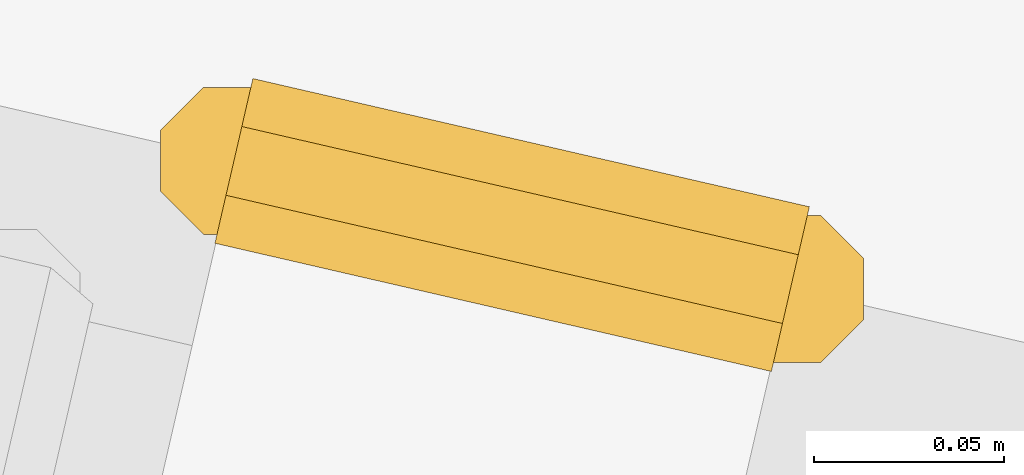
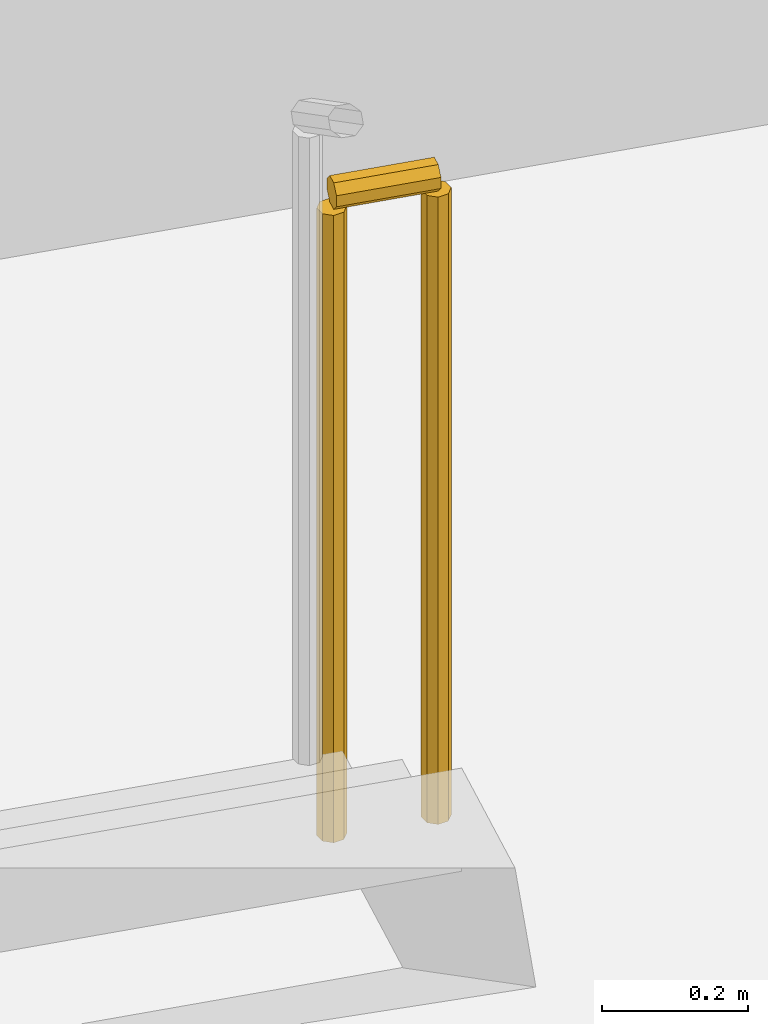
# One storey, part 24 of 29: 1 railing.
"""IFC4 building model written with IfcOpenShell, lengths in metres."""

from ifc_helpers import new_model, si_unit, direction, frame, origin, place, context, subcontext, project, spatial, polyline, outline, extrude, material, type_object, element, save


model = new_model("IFC4")

# Units and contexts
model_context = context("Model", 3, precision=1e-05, world=origin(), true_north=direction((0.0, 1.0)))
body_context = subcontext(model_context, "Body", "Model", "MODEL_VIEW")
ifc_project = project(units=[si_unit("LENGTHUNIT", "METRE"), si_unit("AREAUNIT", "SQUARE_METRE"), si_unit("VOLUMEUNIT", "CUBIC_METRE"), si_unit("PLANEANGLEUNIT", "RADIAN"), si_unit("MASSUNIT", "GRAM", prefix="KILO")], contexts=[model_context])

# Site, building, storey
site_placement = place(None, origin())
site = spatial("IfcSite", under=ifc_project, at=site_placement, CompositionType="ELEMENT")
building_placement = place(site_placement, origin())
building = spatial("IfcBuilding", under=site, at=building_placement, Name="Cormorant Relay Tower", CompositionType="ELEMENT")
storey_placement = place(building_placement, frame((0.0, 0.0, -9.0)))
storey = spatial("IfcBuildingStorey", under=building, at=storey_placement, Name="B2", CompositionType="ELEMENT", Elevation=-9.0)

# Railing
ifc_material = material(Name="Steel ASTM A572 Grade 50 (Fy 345 MPa)", Category="steel")
railing_type = type_object("IfcRailingType", Name="Podium stair guard 1100", PredefinedType="GUARDRAIL", material=ifc_material)
railing_placement = place(storey_placement, frame((-69.109619140625, 30.28564453125, 0.0)))
element("IfcRailing", 1, at=railing_placement, inside=storey, type_object=railing_type, Name="B2 X3 stair guard 4", PredefinedType="GUARDRAIL", context=body_context, shape_type="SweptSolid", body=[
    extrude(outline(polyline([(0.022216796875, 0.00927734375), (0.00927734375, 0.022216796875), (-0.00927734375, 0.022216796875), (-0.022216796875, 0.00927734375), (-0.022216796875, -0.00927734375), (-0.00927734375, -0.022216796875), (0.00927734375, -0.022216796875), (0.022216796875, -0.00927734375), (0.022216796875, 0.00927734375)])), frame((0.0, 0.0, 1.076171875), z_axis=(0.974473386136, -0.224503050562, 0.0), x_axis=(0.224503050562, 0.974473386136, 0.0)), (0.0, 0.0, 1.0), 0.150146484375),
    extrude(outline(polyline([(0.019287109375, 0.008056640625), (0.008056640625, 0.019287109375), (-0.008056640625, 0.019287109375), (-0.019287109375, 0.008056640625), (-0.019287109375, -0.008056640625), (-0.008056640625, -0.019287109375), (0.008056640625, -0.019287109375), (0.019287109375, -0.008056640625), (0.019287109375, 0.008056640625)])), origin(), (0.0, 0.0, 1.0), 1.052001953125),
    extrude(outline(polyline([(0.019287109375, 0.008056640625), (0.008056640625, 0.019287109375), (-0.008056640625, 0.019287109375), (-0.019287109375, 0.008056640625), (-0.019287109375, -0.008056640625), (-0.008056640625, -0.019287109375), (0.008056640625, -0.019287109375), (0.019287109375, -0.008056640625), (0.019287109375, 0.008056640625)])), frame((0.146240234375, -0.03369140625, 0.0)), (0.0, 0.0, 1.0), 1.052001953125),
])

save(model, "model.ifc")
